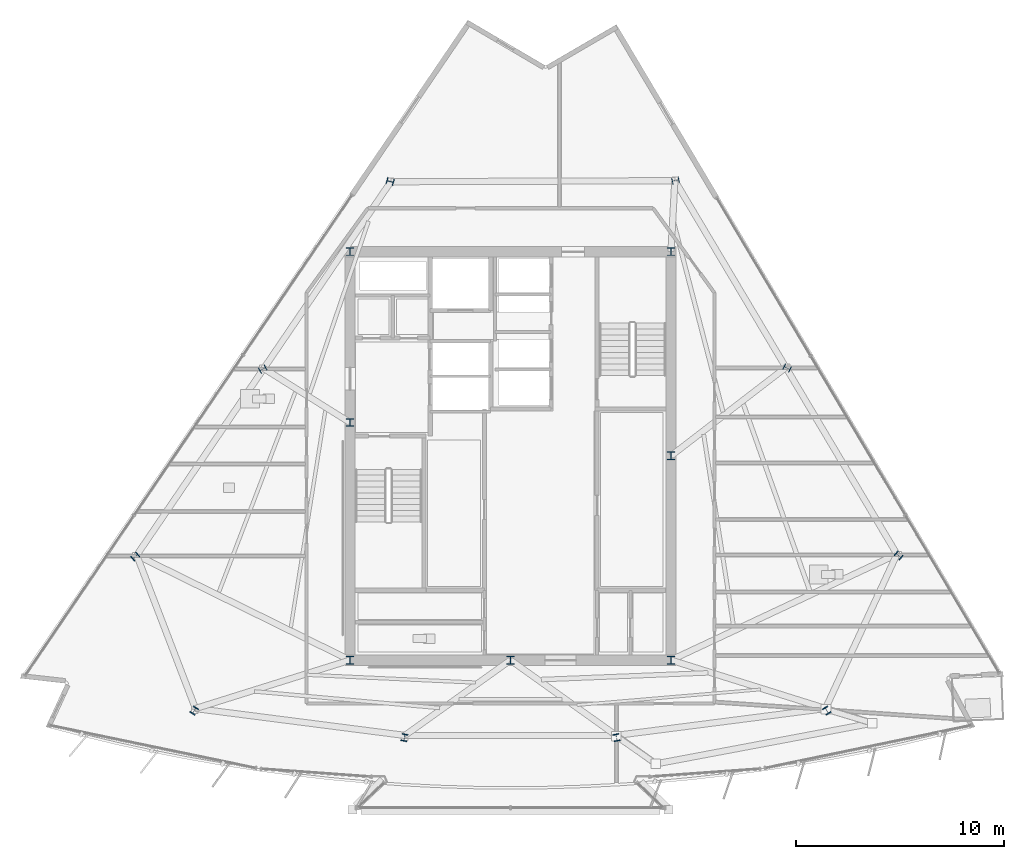
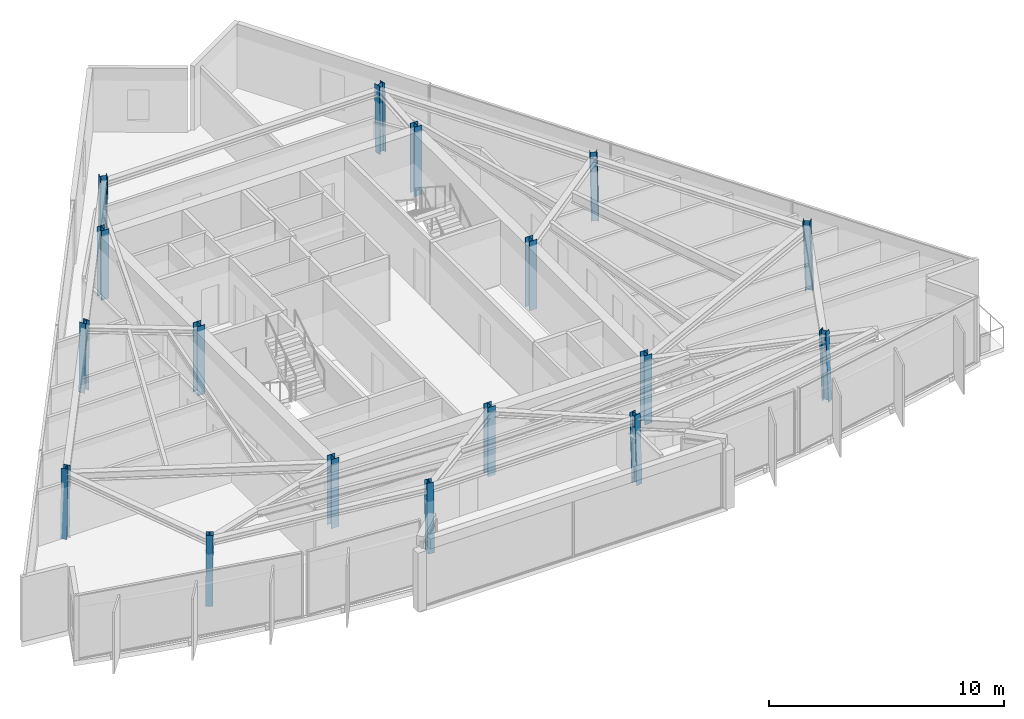
# One storey, part 1 of 13: 17 columns.
"""IFC4 building model written with IfcOpenShell, lengths in metres."""

from ifc_helpers import new_model, si_unit, direction, frame, origin, origin_2d, place, context, subcontext, project, spatial, i_section, extrude, material, material_profile, profile_set, type_object, element, save


model = new_model("IFC4")

# Units and contexts
model_context = context("Model", 3, precision=1e-05, world=origin(), true_north=direction((0.0, 1.0)))
body_context = subcontext(model_context, "Body", "Model", "MODEL_VIEW")
ifc_project = project(units=[si_unit("LENGTHUNIT", "METRE"), si_unit("AREAUNIT", "SQUARE_METRE"), si_unit("VOLUMEUNIT", "CUBIC_METRE"), si_unit("PLANEANGLEUNIT", "RADIAN"), si_unit("MASSUNIT", "GRAM", prefix="KILO")], contexts=[model_context])

# Site, building, storey
site_placement = place(None, origin())
site = spatial("IfcSite", under=ifc_project, at=site_placement, CompositionType="ELEMENT")
building_placement = place(site_placement, origin())
building = spatial("IfcBuilding", under=site, at=building_placement, Name="Savorim Split Tower", CompositionType="ELEMENT")
storey_placement = place(building_placement, frame((0.0, 0.0, 286.800048828125)))
storey = spatial("IfcBuildingStorey", under=building, at=storey_placement, Name="L76", CompositionType="ELEMENT", Elevation=286.800048828125)

# Columns
ifc_material = material(Name="Steel S355", Category="steel")
ifc_material_profile_1 = material_profile(ifc_material, i_section(OverallWidth=0.30908203125, OverallDepth=0.330078125, WebThickness=0.011474609375, FlangeThickness=0.01904296875, FilletRadius=0.027099609375, at=origin_2d()), Name="HD 320x158")
ifc_profile_set_1 = profile_set([ifc_material_profile_1], Name="Steel S355")
column_type_1 = type_object("IfcColumnType", Name="COL-HD-158", PredefinedType="COLUMN", material=ifc_profile_set_1)
column_1_placement = place(storey_placement, frame((-15.185302734375, -11.842041015625, 0.00537109375), z_axis=(0.020662834962, 0.033509136961, 0.999224792022), x_axis=(-0.851183725565, 0.524867855115, 0.0)))
element("IfcColumn", 1, at=column_1_placement, inside=storey, type_object=column_type_1, Name="L76 Tapered Perimeter Column PC-S1", PredefinedType="COLUMN", context=body_context, shape_type="SweptSolid", body=[
    extrude(i_section(OverallWidth=0.30908203125, OverallDepth=0.330078125, WebThickness=0.011474609375, FlangeThickness=0.01904296875, FilletRadius=0.027099609375, at=origin_2d()), origin(), (0.0, 0.0, 1.0), 3.591796875),
])
for number, where, z_axis, x_axis, name in (
    (2, (-5.08935546875, -13.138427734375, 0.00537109375), (0.006865841702, 0.035280909339, 0.999353850072), (-0.981585848295, 0.191021523464, 0.0), "L76 Tapered Perimeter Column PC-S2"),
    (3, (5.08935546875, -13.138427734375, 0.00537109375), (-0.006865841702, 0.035280909339, 0.999353850072), (-0.981585848295, -0.191021523464, 0.0), "L76 Tapered Perimeter Column PC-S3"),
):
    element("IfcColumn", number, at=place(storey_placement, frame(where, z_axis=z_axis, x_axis=x_axis)), inside=storey, type_object=column_type_1, Name=name, PredefinedType="COLUMN", context=body_context, shape_type="SweptSolid", body=[
        extrude(i_section(OverallWidth=0.30908203125, OverallDepth=0.330078125, WebThickness=0.011474609375, FlangeThickness=0.01904296875, FilletRadius=0.027099609375, at=origin_2d()), origin(), (0.0, 0.0, 1.0), 3.591552734375),
    ])
column_2_placement = place(storey_placement, frame((15.185302734375, -11.842041015625, 0.00537109375), z_axis=(-0.020662834962, 0.033509136961, 0.999224792022), x_axis=(-0.851183725565, -0.524867855115, 0.0)))
element("IfcColumn", 4, at=column_2_placement, inside=storey, type_object=column_type_1, Name="L76 Tapered Perimeter Column PC-S4", PredefinedType="COLUMN", context=body_context, shape_type="SweptSolid", body=[
    extrude(i_section(OverallWidth=0.30908203125, OverallDepth=0.330078125, WebThickness=0.011474609375, FlangeThickness=0.01904296875, FilletRadius=0.027099609375, at=origin_2d()), origin(), (0.0, 0.0, 1.0), 3.591796875),
])
column_3_placement = place(storey_placement, frame((18.633056640625, -4.395263671875, 0.00537109375), z_axis=(-0.026105663043, 0.021618752208, 0.999425396871), x_axis=(-0.637813971185, -0.770190455771, 0.0)))
element("IfcColumn", 5, at=column_3_placement, inside=storey, type_object=column_type_1, Name="L76 Tapered Perimeter Column PC-E1", PredefinedType="COLUMN", context=body_context, shape_type="SweptSolid", body=[
    extrude(i_section(OverallWidth=0.30908203125, OverallDepth=0.330078125, WebThickness=0.011474609375, FlangeThickness=0.01904296875, FilletRadius=0.027099609375, at=origin_2d()), origin(), (0.0, 0.0, 1.0), 3.591064453125),
])
column_4_placement = place(storey_placement, frame((13.280029296875, 4.607177734375, 0.00537109375), z_axis=(-0.018906041, 0.009521027842, 0.999775930718), x_axis=(-0.449781931574, -0.893138406984, 0.0)))
element("IfcColumn", 6, at=column_4_placement, inside=storey, type_object=column_type_1, Name="L76 Tapered Perimeter Column PC-E2", PredefinedType="COLUMN", context=body_context, shape_type="SweptSolid", body=[
    extrude(i_section(OverallWidth=0.30908203125, OverallDepth=0.330078125, WebThickness=0.011474609375, FlangeThickness=0.01904296875, FilletRadius=0.027099609375, at=origin_2d()), origin(), (0.0, 0.0, 1.0), 3.58984375),
])
for number, where, z_axis, x_axis, name in (
    (7, (7.92724609375, 13.609375, 0.00537109375), (-0.011767052893, -0.002584670578, 0.999927425339), (0.214538664031, -0.976715496773, 0.0), "L76 Tapered Perimeter Column PC-E3"),
    (8, (-5.7734375, 13.560546875, 0.00537109375), (0.008774547672, -0.002516730728, 0.999958335822), (0.275705143097, 0.961242255662, 0.0), "L76 Tapered Perimeter Column PC-W1"),
):
    element("IfcColumn", number, at=place(storey_placement, frame(where, z_axis=z_axis, x_axis=x_axis)), inside=storey, type_object=column_type_1, Name=name, PredefinedType="COLUMN", context=body_context, shape_type="SweptSolid", body=[
        extrude(i_section(OverallWidth=0.30908203125, OverallDepth=0.330078125, WebThickness=0.011474609375, FlangeThickness=0.01904296875, FilletRadius=0.027099609375, at=origin_2d()), origin(), (0.0, 0.0, 1.0), 3.58935546875),
    ])
column_5_placement = place(storey_placement, frame((-11.8974609375, 4.558349609375, 0.00537109375), z_axis=(0.01700241672, 0.009521353363, 0.999810112799), x_axis=(-0.488603368932, 0.87250601595, 0.0)))
element("IfcColumn", 9, at=column_5_placement, inside=storey, type_object=column_type_1, Name="L76 Tapered Perimeter Column PC-W2", PredefinedType="COLUMN", context=body_context, shape_type="SweptSolid", body=[
    extrude(i_section(OverallWidth=0.30908203125, OverallDepth=0.330078125, WebThickness=0.011474609375, FlangeThickness=0.01904296875, FilletRadius=0.027099609375, at=origin_2d()), origin(), (0.0, 0.0, 1.0), 3.58984375),
])
column_6_placement = place(storey_placement, frame((-18.021484375, -4.444091796875, 0.00537109375), z_axis=(0.025222449659, 0.021619242565, 0.999448065876), x_axis=(-0.650791373456, 0.759256602365, 0.0)))
element("IfcColumn", 10, at=column_6_placement, inside=storey, type_object=column_type_1, Name="L76 Tapered Perimeter Column PC-W3", PredefinedType="COLUMN", context=body_context, shape_type="SweptSolid", body=[
    extrude(i_section(OverallWidth=0.30908203125, OverallDepth=0.330078125, WebThickness=0.011474609375, FlangeThickness=0.01904296875, FilletRadius=0.027099609375, at=origin_2d()), origin(), (0.0, 0.0, 1.0), 3.591064453125),
])
ifc_material_profile_2 = material_profile(ifc_material, i_section(OverallWidth=0.3740234375, OverallDepth=0.3720703125, WebThickness=0.01220703125, FlangeThickness=0.02001953125, FilletRadius=0.014892578125, at=origin_2d()), Name="HD 360x196")
ifc_profile_set_2 = profile_set([ifc_material_profile_2], Name="Steel S355")
column_type_2 = type_object("IfcColumnType", Name="COL-HD-196", PredefinedType="COLUMN", material=ifc_profile_set_2)
for number, where, z_axis, x_axis, name in (
    (11, (-7.699951171875, -9.39990234375, 0.0), (0.0, 0.0, 1.0), (1.0, 0.0, 0.0), "L76 Core Structural Column TC-C1"),
    (12, (7.699951171875, -9.39990234375, 0.0), (0.0, 0.0, 1.0), (1.0, 0.0, 0.0), "L76 Core Structural Column TC-C2"),
    (13, (7.699951171875, 10.199951171875, 0.0), (0.0, 0.0, 1.0), (1.0, 0.0, 0.0), "L76 Core Structural Column TC-C3"),
    (14, (-7.699951171875, 10.199951171875, 0.0), (0.0, 0.0, 1.0), (1.0, 0.0, 0.0), "L76 Core Structural Column TC-C4"),
    (15, (0.0, -9.39990234375, 0.0), (0.0, 0.0, 1.0), (1.0, 0.0, 0.0), "L76 Core Structural Column TC-C5"),
    (16, (7.699951171875, 0.39990234375, 0.0), (0.0, 0.0, 1.0), (1.0, 0.0, 0.0), "L76 Core Structural Column TC-C6"),
    (17, (-7.699951171875, 2.0, 0.0), (0.0, 0.0, 1.0), (1.0, 0.0, 0.0), "L76 Core Structural Column TC-C7"),
):
    element("IfcColumn", number, at=place(storey_placement, frame(where, z_axis=z_axis, x_axis=x_axis)), inside=storey, type_object=column_type_2, Name=name, PredefinedType="COLUMN", context=body_context, shape_type="SweptSolid", body=[
        extrude(i_section(OverallWidth=0.3740234375, OverallDepth=0.3720703125, WebThickness=0.01220703125, FlangeThickness=0.02001953125, FilletRadius=0.014892578125, at=origin_2d()), origin(), (0.0, 0.0, 1.0), 3.599853515625),
    ])

save(model, "model.ifc")
